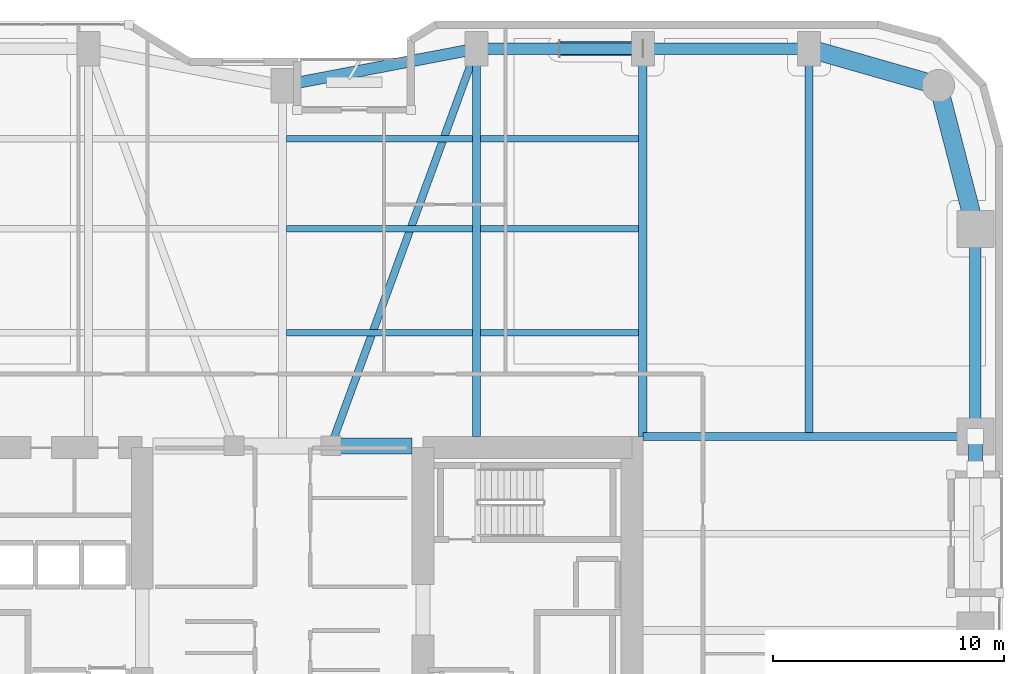
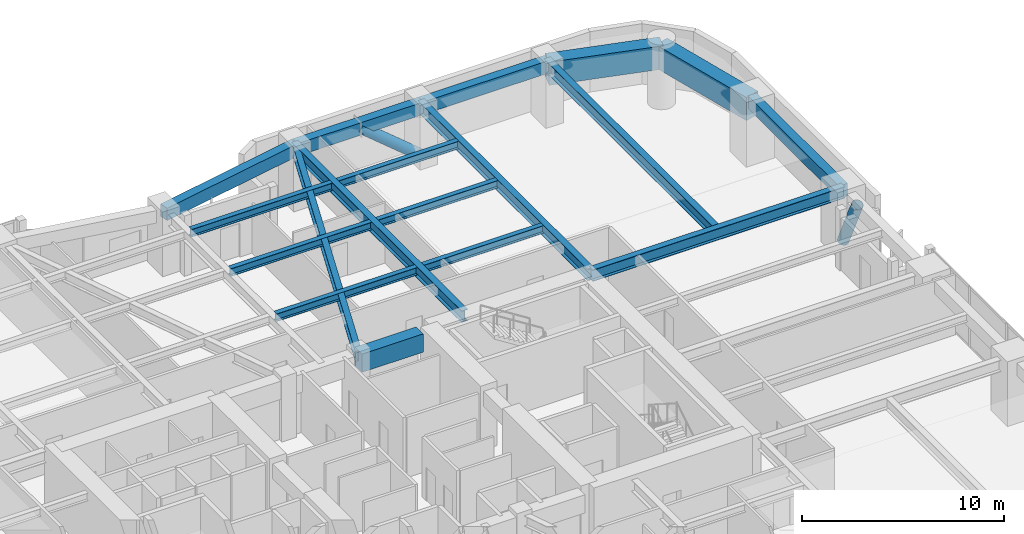
# One storey, part 18 of 29: 18 beams, 2 members.
"""IFC4 building model written with IfcOpenShell, lengths in metres."""

from ifc_helpers import new_model, si_unit, direction, frame, origin, origin_2d, place, context, subcontext, project, spatial, rectangle, hollow_circle, i_section, extrude, material, material_profile, profile_set, type_object, element, save


model = new_model("IFC4")

# Units and contexts
model_context = context("Model", 3, precision=1e-05, world=origin(), true_north=direction((0.0, 1.0)))
body_context = subcontext(model_context, "Body", "Model", "MODEL_VIEW")
ifc_project = project(units=[si_unit("LENGTHUNIT", "METRE"), si_unit("AREAUNIT", "SQUARE_METRE"), si_unit("VOLUMEUNIT", "CUBIC_METRE"), si_unit("PLANEANGLEUNIT", "RADIAN"), si_unit("MASSUNIT", "GRAM", prefix="KILO")], contexts=[model_context])

# Site, building, storey
site_placement = place(None, origin())
site = spatial("IfcSite", under=ifc_project, at=site_placement, CompositionType="ELEMENT")
building_placement = place(site_placement, origin())
building = spatial("IfcBuilding", under=site, at=building_placement, Name="Kiyonajd Concourse Tower", CompositionType="ELEMENT")
storey_placement = place(building_placement, frame((0.0, 0.0, 52.800048828125)))
storey = spatial("IfcBuildingStorey", under=building, at=storey_placement, Name="L14", CompositionType="ELEMENT", Elevation=52.800048828125)

# Beams
ifc_material_1 = material(Name="Concrete C70/85", Category="concrete")
ifc_material_profile_1 = material_profile(ifc_material_1, rectangle(XDim=0.699951171875, YDim=1.10009765625, at=origin_2d()), Name="RCBM-700x1100")
ifc_profile_set_1 = profile_set([ifc_material_profile_1], Name="Concrete C70/85")
beam_type_1 = type_object("IfcBeamType", Name="BM-COUP-1100", PredefinedType="LINTEL", material=ifc_profile_set_1)
beam_1_placement = place(storey_placement, frame((50.10009765625, 44.0, 3.08984375), z_axis=(1.0, 0.0, 0.0), x_axis=(0.0, 1.0, 0.0)))
element("IfcBeam", 1, at=beam_1_placement, inside=storey, type_object=beam_type_1, Name="L14 Core Coupling Beam N3", PredefinedType="LINTEL", context=body_context, shape_type="SweptSolid", body=[
    extrude(rectangle(XDim=0.699951171875, YDim=1.10009765625, at=origin_2d()), origin(), (0.0, 0.0, 1.0), 3.5),
])
ifc_material_2 = material(Name="Steel ASTM A992 Grade 50", Category="steel")
ifc_material_profile_2 = material_profile(ifc_material_2, i_section(OverallWidth=0.280029296875, OverallDepth=0.462890625, WebThickness=0.0107421875, FlangeThickness=0.017333984375, at=origin_2d()), Name="W460X113")
ifc_profile_set_2 = profile_set([ifc_material_profile_2], Name="Steel ASTM A992 Grade 50")
beam_type_2 = type_object("IfcBeamType", Name="BM-JST-460A", PredefinedType="JOIST", material=ifc_profile_set_2)
beam_2_placement = place(storey_placement, frame((48.177490234375, 48.89990234375, 3.408447265625), z_axis=(1.0, 0.0, 0.0), x_axis=(0.0, 1.0, 0.0)))
element("IfcBeam", 2, at=beam_2_placement, inside=storey, type_object=beam_type_2, Name="L14 Secondary Floor Joist", PredefinedType="JOIST", context=body_context, shape_type="SweptSolid", body=[
    extrude(i_section(OverallWidth=0.280029296875, OverallDepth=0.462890625, WebThickness=0.0107421875, FlangeThickness=0.017333984375, at=origin_2d()), origin(), (0.0, 0.0, 1.0), 8.044921875),
])
beam_3_placement = place(storey_placement, frame((56.577392578125, 48.89990234375, 3.408447265625), z_axis=(1.0, 0.0, 0.0), x_axis=(0.0, 1.0, 0.0)))
element("IfcBeam", 3, at=beam_3_placement, inside=storey, type_object=beam_type_2, Name="L14 Secondary Floor Joist", PredefinedType="JOIST", context=body_context, shape_type="SweptSolid", body=[
    extrude(i_section(OverallWidth=0.280029296875, OverallDepth=0.462890625, WebThickness=0.0107421875, FlangeThickness=0.017333984375, at=origin_2d()), origin(), (0.0, 0.0, 1.0), 6.84521484375),
])
beam_4_placement = place(storey_placement, frame((48.177490234375, 53.39990234375, 3.408447265625), z_axis=(1.0, 0.0, 0.0), x_axis=(0.0, 1.0, 0.0)))
element("IfcBeam", 4, at=beam_4_placement, inside=storey, type_object=beam_type_2, Name="L14 Secondary Floor Joist", PredefinedType="JOIST", context=body_context, shape_type="SweptSolid", body=[
    extrude(i_section(OverallWidth=0.280029296875, OverallDepth=0.462890625, WebThickness=0.0107421875, FlangeThickness=0.017333984375, at=origin_2d()), origin(), (0.0, 0.0, 1.0), 8.044921875),
])
beam_5_placement = place(storey_placement, frame((56.577392578125, 53.39990234375, 3.408447265625), z_axis=(1.0, 0.0, 0.0), x_axis=(0.0, 1.0, 0.0)))
element("IfcBeam", 5, at=beam_5_placement, inside=storey, type_object=beam_type_2, Name="L14 Secondary Floor Joist", PredefinedType="JOIST", context=body_context, shape_type="SweptSolid", body=[
    extrude(i_section(OverallWidth=0.280029296875, OverallDepth=0.462890625, WebThickness=0.0107421875, FlangeThickness=0.017333984375, at=origin_2d()), origin(), (0.0, 0.0, 1.0), 6.84521484375),
])
beam_6_placement = place(storey_placement, frame((48.177490234375, 57.300048828125, 3.408447265625), z_axis=(1.0, 0.0, 0.0), x_axis=(0.0, 1.0, 0.0)))
element("IfcBeam", 6, at=beam_6_placement, inside=storey, type_object=beam_type_2, Name="L14 Secondary Floor Joist", PredefinedType="JOIST", context=body_context, shape_type="SweptSolid", body=[
    extrude(i_section(OverallWidth=0.280029296875, OverallDepth=0.462890625, WebThickness=0.0107421875, FlangeThickness=0.017333984375, at=origin_2d()), origin(), (0.0, 0.0, 1.0), 8.044921875),
])
beam_7_placement = place(storey_placement, frame((56.577392578125, 57.300048828125, 3.408447265625), z_axis=(1.0, 0.0, 0.0), x_axis=(0.0, 1.0, 0.0)))
element("IfcBeam", 7, at=beam_7_placement, inside=storey, type_object=beam_type_2, Name="L14 Secondary Floor Joist", PredefinedType="JOIST", context=body_context, shape_type="SweptSolid", body=[
    extrude(i_section(OverallWidth=0.280029296875, OverallDepth=0.462890625, WebThickness=0.0107421875, FlangeThickness=0.017333984375, at=origin_2d()), origin(), (0.0, 0.0, 1.0), 6.84521484375),
])
ifc_material_3 = material(Name="Precast concrete C50/60", Category="concrete")
ifc_material_profile_3 = material_profile(ifc_material_3, rectangle(XDim=0.5, YDim=0.75, at=origin_2d()), Name="RCBM-500x750")
ifc_profile_set_3 = profile_set([ifc_material_profile_3], Name="Precast concrete C50/60")
beam_type_3 = type_object("IfcBeamType", Name="BM-SPAN-RC", PredefinedType="SPANDREL", material=ifc_profile_set_3)
beam_8_placement = place(storey_placement, frame((78.0, 44.39990234375, 3.264892578125), z_axis=(0.0, 1.0, 0.0), x_axis=(-1.0, 0.0, 0.0)))
element("IfcBeam", 8, at=beam_8_placement, inside=storey, type_object=beam_type_3, Name="L14 Perimeter Bundled Tube Spandrel", PredefinedType="SPANDREL", context=body_context, shape_type="SweptSolid", body=[
    extrude(rectangle(XDim=0.5, YDim=0.75, at=origin_2d()), origin(), (0.0, 0.0, 1.0), 9.0),
])
beam_9_placement = place(storey_placement, frame((70.800048828125, 61.199951171875, 3.264892578125), z_axis=(-1.0, 0.0, 0.0), x_axis=(0.0, -1.0, 0.0)))
element("IfcBeam", 9, at=beam_9_placement, inside=storey, type_object=beam_type_3, Name="L14 Perimeter Bundled Tube Spandrel", PredefinedType="SPANDREL", context=body_context, shape_type="SweptSolid", body=[
    extrude(rectangle(XDim=0.5, YDim=0.75, at=origin_2d()), origin(), (0.0, 0.0, 1.0), 7.199951171875),
])
beam_10_placement = place(storey_placement, frame((63.60009765625, 61.199951171875, 3.264892578125), z_axis=(-1.0, 0.0, 0.0), x_axis=(0.0, -1.0, 0.0)))
element("IfcBeam", 10, at=beam_10_placement, inside=storey, type_object=beam_type_3, Name="L14 Perimeter Bundled Tube Spandrel", PredefinedType="SPANDREL", context=body_context, shape_type="SweptSolid", body=[
    extrude(rectangle(XDim=0.5, YDim=0.75, at=origin_2d()), origin(), (0.0, 0.0, 1.0), 7.2001953125),
])
beam_11_placement = place(storey_placement, frame((56.39990234375, 61.199951171875, 3.264892578125), z_axis=(-0.982341315253, -0.187097675953, 0.0), x_axis=(0.187097675953, -0.982341315253, 0.0)))
element("IfcBeam", 11, at=beam_11_placement, inside=storey, type_object=beam_type_3, Name="L14 Perimeter Bundled Tube Spandrel", PredefinedType="SPANDREL", context=body_context, shape_type="SweptSolid", body=[
    extrude(rectangle(XDim=0.5, YDim=0.75, at=origin_2d()), origin(), (0.0, 0.0, 1.0), 8.55078125),
])
ifc_material_profile_4 = material_profile(ifc_material_2, i_section(OverallWidth=0.326904296875, OverallDepth=0.6220703125, WebThickness=0.015380859375, FlangeThickness=0.0244140625, at=origin_2d()), Name="W610X195")
ifc_profile_set_4 = profile_set([ifc_material_profile_4], Name="Steel ASTM A992 Grade 50")
beam_type_4 = type_object("IfcBeamType", Name="BM-TWR-610A", PredefinedType="BEAM", material=ifc_profile_set_4)
beam_12_placement = place(storey_placement, frame((50.10009765625, 44.0, 3.328857421875), z_axis=(0.343925269715, 0.938997022813, 0.0), x_axis=(-0.938997022813, 0.343925269715, 0.0)))
element("IfcBeam", 12, at=beam_12_placement, inside=storey, type_object=beam_type_4, Name="L14 Core Tie Girder", PredefinedType="BEAM", context=body_context, shape_type="SweptSolid", body=[
    extrude(i_section(OverallWidth=0.326904296875, OverallDepth=0.6220703125, WebThickness=0.015380859375, FlangeThickness=0.0244140625, at=origin_2d()), origin(), (0.0, 0.0, 1.0), 18.3173828125),
])
ifc_material_profile_5 = material_profile(ifc_material_2, i_section(OverallWidth=0.35498046875, OverallDepth=0.695068359375, WebThickness=0.015380859375, FlangeThickness=0.02490234375, at=origin_2d()), Name="W690X217")
ifc_profile_set_5 = profile_set([ifc_material_profile_5], Name="Steel ASTM A992 Grade 50")
beam_type_5 = type_object("IfcBeamType", Name="BM-TWR-690", PredefinedType="BEAM", material=ifc_profile_set_5)
for number, where, z_axis, x_axis, name in (
    (13, (56.39990234375, 44.39990234375, 3.29248046875), (0.0, 1.0, 0.0), (-1.0, 0.0, 0.0), "L14 North Lease Girder"),
    (14, (63.60009765625, 44.39990234375, 3.29248046875), (0.0, 1.0, 0.0), (-1.0, 0.0, 0.0), "L14 North Lease Girder"),
    (15, (70.800048828125, 44.39990234375, 3.29248046875), (0.0, 1.0, 0.0), (-1.0, 0.0, 0.0), "L14 North Lease Girder"),
):
    element("IfcBeam", number, at=place(storey_placement, frame(where, z_axis=z_axis, x_axis=x_axis)), inside=storey, type_object=beam_type_5, Name=name, PredefinedType="BEAM", context=body_context, shape_type="SweptSolid", body=[
        extrude(i_section(OverallWidth=0.35498046875, OverallDepth=0.695068359375, WebThickness=0.015380859375, FlangeThickness=0.02490234375, at=origin_2d()), origin(), (0.0, 0.0, 1.0), 16.800048828125),
    ])
beam_13_placement = place(storey_placement, frame((63.60009765625, 44.39990234375, 3.29248046875), z_axis=(1.0, 0.0, 0.0), x_axis=(0.0, 1.0, 0.0)))
element("IfcBeam", 16, at=beam_13_placement, inside=storey, type_object=beam_type_5, Name="L14 East Lease Girder", PredefinedType="BEAM", context=body_context, shape_type="SweptSolid", body=[
    extrude(i_section(OverallWidth=0.35498046875, OverallDepth=0.695068359375, WebThickness=0.015380859375, FlangeThickness=0.02490234375, at=origin_2d()), origin(), (0.0, 0.0, 1.0), 14.39990234375),
])
ifc_material_4 = material(Name="Concrete C60/75", Category="concrete")
ifc_material_profile_6 = material_profile(ifc_material_4, rectangle(XDim=0.800048828125, YDim=1.39990234375, at=origin_2d()), Name="RCBM-800x1400")
ifc_profile_set_6 = profile_set([ifc_material_profile_6], Name="Concrete C60/75")
beam_type_6 = type_object("IfcBeamType", Name="BM-XFER-RC", PredefinedType="BEAM", material=ifc_profile_set_6)
beam_14_placement = place(storey_placement, frame((78.0, 53.39990234375, 2.93994140625), z_axis=(-0.249884937687, 0.968275538221, 0.0), x_axis=(-0.968275538221, -0.249884937687, 0.0)))
element("IfcBeam", 17, at=beam_14_placement, inside=storey, type_object=beam_type_6, Name="L14 Perimeter Bundled Tube Spandrel", PredefinedType="BEAM", context=body_context, shape_type="SweptSolid", body=[
    extrude(rectangle(XDim=0.800048828125, YDim=1.39990234375, at=origin_2d()), origin(), (0.0, 0.0, 1.0), 6.4033203125),
])
beam_15_placement = place(storey_placement, frame((76.39990234375, 59.60009765625, 2.93994140625), z_axis=(-0.961528693205, 0.274704517878, 0.0), x_axis=(-0.274704517878, -0.961528693205, 0.0)))
element("IfcBeam", 18, at=beam_15_placement, inside=storey, type_object=beam_type_6, Name="L14 Perimeter Bundled Tube Spandrel", PredefinedType="BEAM", context=body_context, shape_type="SweptSolid", body=[
    extrude(rectangle(XDim=0.800048828125, YDim=1.39990234375, at=origin_2d()), origin(), (0.0, 0.0, 1.0), 5.823974609375),
])

# Members
ifc_material_5 = material(Name="Steel ASTM A572 Grade 50", Category="steel")
ifc_material_profile_7 = material_profile(ifc_material_5, hollow_circle(Radius=0.304931640625, WallThickness=0.02490234375, at=origin_2d()), Name="CHS-610x25")
ifc_profile_set_7 = profile_set([ifc_material_profile_7], Name="Steel ASTM A572 Grade 50")
member_type = type_object("IfcMemberType", Name="MB-PB-LOW", PredefinedType="BRACE", material=ifc_profile_set_7)
member_1_placement = place(storey_placement, frame((63.60009765625, 61.199951171875, 0.300048828125), z_axis=(-0.769280705518, 0.0, 0.638910945373), x_axis=(0.0, -1.0, 0.0)))
element("IfcMember", 19, at=member_1_placement, inside=storey, type_object=member_type, Name="L14 Lower Zone Welded Tube Brace PBN", PredefinedType="BRACE", context=body_context, shape_type="SweptSolid", body=[
    extrude(hollow_circle(Radius=0.304931640625, WallThickness=0.02490234375, at=origin_2d()), origin(), (0.0, 0.0, 1.0), 4.679931640625),
])
member_2_placement = place(storey_placement, frame((78.0, 44.39990234375, 0.300048828125), z_axis=(0.0, -0.424022702926, 0.905651559598), x_axis=(1.0, 0.0, 0.0)))
element("IfcMember", 20, at=member_2_placement, inside=storey, type_object=member_type, Name="L14 Lower Zone Welded Tube Brace PBE", PredefinedType="BRACE", context=body_context, shape_type="SweptSolid", body=[
    extrude(hollow_circle(Radius=0.304931640625, WallThickness=0.02490234375, at=origin_2d()), origin(), (0.0, 0.0, 1.0), 3.301513671875),
])

save(model, "model.ifc")
